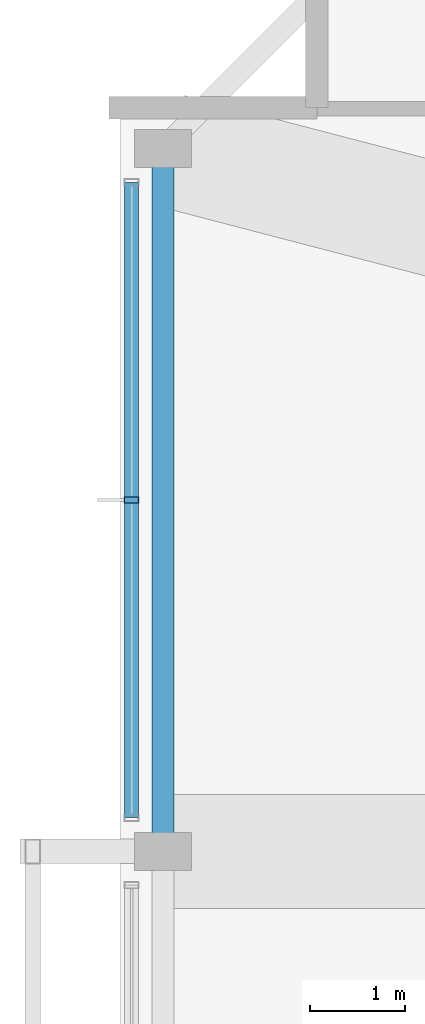
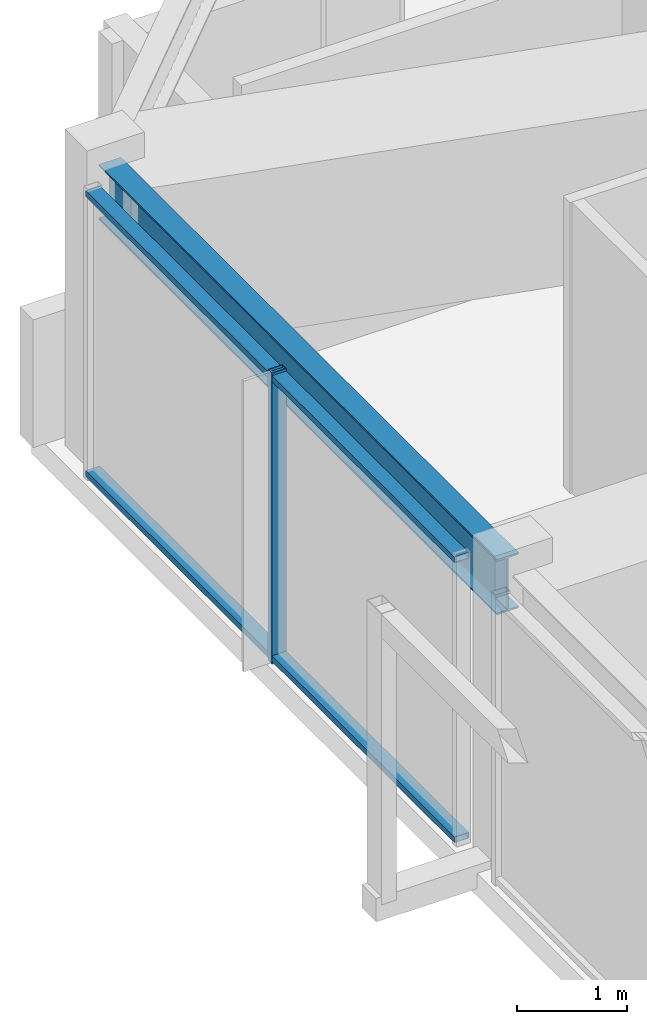
# One storey, part 9 of 30: 3 members, 1 beam, 1 element without a shape of its own.
"""IFC4 building model written with IfcOpenShell, lengths in metres."""

from ifc_helpers import new_model, si_unit, direction, frame, origin, origin_2d, place, context, subcontext, project, spatial, hollow_rectangle, i_section, extrude, material, material_profile, profile_set, type_object, element, aggregate, save


model = new_model("IFC4")

# Units and contexts
model_context = context("Model", 3, precision=1e-05, world=origin(), true_north=direction((0.0, 1.0)))
body_context = subcontext(model_context, "Body", "Model", "MODEL_VIEW")
ifc_project = project(units=[si_unit("LENGTHUNIT", "METRE"), si_unit("AREAUNIT", "SQUARE_METRE"), si_unit("VOLUMEUNIT", "CUBIC_METRE"), si_unit("PLANEANGLEUNIT", "RADIAN"), si_unit("MASSUNIT", "GRAM", prefix="KILO")], contexts=[model_context])

# Site, building, storey
site_placement = place(None, origin())
site = spatial("IfcSite", under=ifc_project, at=site_placement, CompositionType="ELEMENT")
building_placement = place(site_placement, origin())
building = spatial("IfcBuilding", under=site, at=building_placement, Name="Kolvaren Belvedere", CompositionType="ELEMENT")
storey_placement = place(building_placement, frame((0.0, 0.0, 254.89990234375)))
storey = spatial("IfcBuildingStorey", under=building, at=storey_placement, Name="L74", CompositionType="ELEMENT", Elevation=254.89990234375)

# Beam
ifc_material_1 = material(Name="Structural steel ASTM A992 Grade 50", Category="steel")
ifc_material_profile_1 = material_profile(ifc_material_1, i_section(OverallWidth=0.22900390625, OverallDepth=0.612060546875, WebThickness=0.011962890625, FlangeThickness=0.01953125, FilletRadius=0.01806640625, at=origin_2d()), Name="W24X84")
ifc_profile_set_1 = profile_set([ifc_material_profile_1], Name="Structural steel ASTM A992 Grade 50")
beam_type = type_object("IfcBeamType", Name="BM-SPAN-W24X84", PredefinedType="SPANDREL", material=ifc_profile_set_1)
beam_placement = place(storey_placement, frame((-17.949951171875, 11.909912109375, 2.9140625), z_axis=(0.0, -1.0, 0.0), x_axis=(1.0, 0.0, 0.0)))
element("IfcBeam", 1, at=beam_placement, inside=storey, type_object=beam_type, Name="L74 Perimeter Spandrel W4-W3", PredefinedType="SPANDREL", context=body_context, shape_type="SweptSolid", body=[
    extrude(i_section(OverallWidth=0.22900390625, OverallDepth=0.612060546875, WebThickness=0.011962890625, FlangeThickness=0.01953125, FilletRadius=0.01806640625, at=origin_2d()), origin(), (0.0, 0.0, 1.0), 7.219970703125),
])

# Curtain wall, members
ifc_material_2 = material(Name="Anodised pale-metal aluminium AA 6063-T6", Category="aluminium")
curtain_wall_type = type_object("IfcCurtainWallType", Name="CW-Z5-HIGH", PredefinedType="NOTDEFINED", material=ifc_material_2)
curtain_wall_placement = place(storey_placement, origin())
curtain_wall = element("IfcCurtainWall", 2, at=curtain_wall_placement, inside=storey, type_object=curtain_wall_type, Name="L74 Unitised Curtain Wall FCW-L74-W-B3", PredefinedType="NOTDEFINED")
ifc_material_3 = material(Name="Anodised pale-metal aluminium AA 6063-T6", Category="aluminium")
ifc_material_profile_2 = material_profile(ifc_material_3, hollow_rectangle(XDim=0.070068359375, YDim=0.14990234375, WallThickness=0.004150390625, at=origin_2d()), Name="ALU-MUL-150X70")
ifc_profile_set_2 = profile_set([ifc_material_profile_2], Name="Anodised pale-metal aluminium AA 6063-T6")
member_type_1 = type_object("IfcMemberType", Name="CW-MUL-150", PredefinedType="MULLION", material=ifc_profile_set_2)
member_1_placement = place(storey_placement, frame((-18.280029296875, 8.300048828125, 0.0), z_axis=(0.0, 0.0, 1.0), x_axis=(0.0, 1.0, 0.0)))
member_1 = element("IfcMember", 3, at=member_1_placement, type_object=member_type_1, Name="FCW-L74-W-B3 Unitised Mullion 2", PredefinedType="MULLION", context=body_context, shape_type="SweptSolid", body=[
    extrude(hollow_rectangle(XDim=0.070068359375, YDim=0.14990234375, WallThickness=0.004150390625, at=origin_2d()), origin(), (0.0, 0.0, 1.0), 3.22021484375),
])
ifc_material_4 = material(Name="Anodised pale-metal aluminium AA 6063-T6", Category="aluminium")
ifc_material_profile_3 = material_profile(ifc_material_4, hollow_rectangle(XDim=0.06494140625, YDim=0.14990234375, WallThickness=0.00390625, at=origin_2d()), Name="ALU-TRN-150X65")
ifc_profile_set_3 = profile_set([ifc_material_profile_3], Name="Anodised pale-metal aluminium AA 6063-T6")
member_type_2 = type_object("IfcMemberType", Name="CW-TRN-150", PredefinedType="USERDEFINED", material=ifc_profile_set_3)
member_2_placement = place(storey_placement, frame((-18.280029296875, 4.955078125, 0.06005859375), z_axis=(0.0, 1.0, 0.0), x_axis=(0.0, 0.0, 1.0)))
member_2 = element("IfcMember", 4, at=member_2_placement, type_object=member_type_2, Name="FCW-L74-W-B3 Sill Transom", ObjectType="TRANSOM", PredefinedType="USERDEFINED", context=body_context, shape_type="SweptSolid", body=[
    extrude(hollow_rectangle(XDim=0.06494140625, YDim=0.14990234375, WallThickness=0.00390625, at=origin_2d()), origin(), (0.0, 0.0, 1.0), 6.68994140625),
])
member_3_placement = place(storey_placement, frame((-18.280029296875, 4.955078125, 3.16015625), z_axis=(0.0, 1.0, 0.0), x_axis=(0.0, 0.0, 1.0)))
member_3 = element("IfcMember", 5, at=member_3_placement, type_object=member_type_2, Name="FCW-L74-W-B3 Head Transom", ObjectType="TRANSOM", PredefinedType="USERDEFINED", context=body_context, shape_type="SweptSolid", body=[
    extrude(hollow_rectangle(XDim=0.06494140625, YDim=0.14990234375, WallThickness=0.00390625, at=origin_2d()), origin(), (0.0, 0.0, 1.0), 6.68994140625),
])
aggregate(curtain_wall, [member_1, member_2, member_3])

save(model, "model.ifc")
